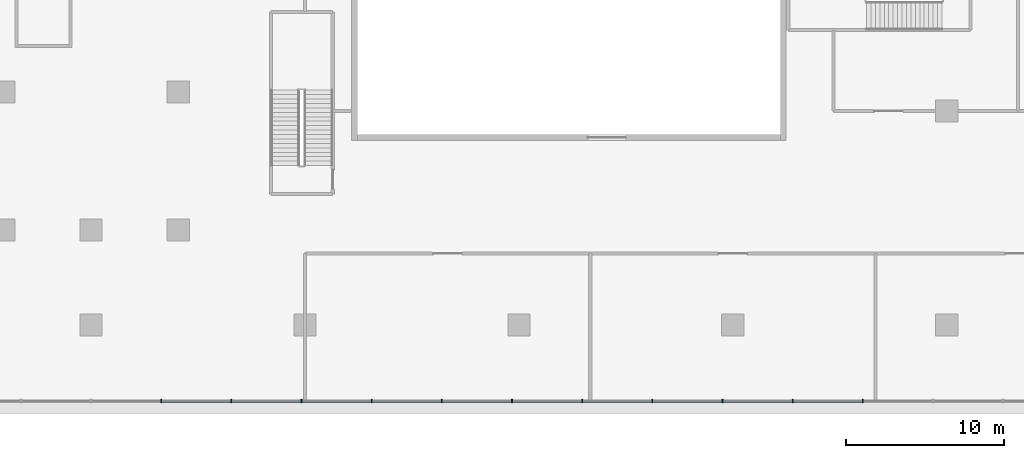
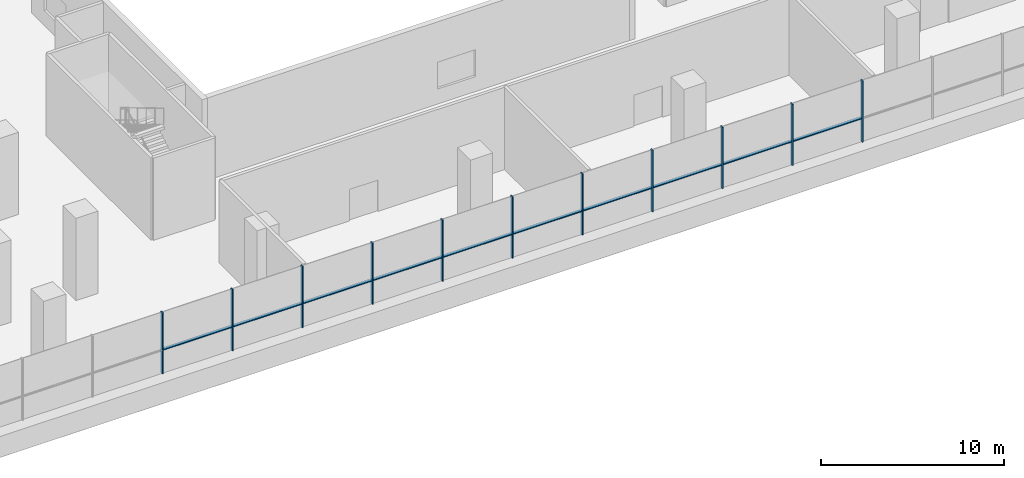
# One storey, part 10 of 52: 21 members, 1 element without a shape of its own.
"""IFC4 building model written with IfcOpenShell, lengths in metres."""

from ifc_helpers import new_model, si_unit, direction, frame, origin, origin_2d, place, context, subcontext, project, spatial, polyline, rectangle, outline, extrude, material, layer, layer_set, material_profile, profile_set, type_object, element, aggregate, save


model = new_model("IFC4")

# Units and contexts
model_context = context("Model", 3, precision=1e-05, world=origin(), true_north=direction((0.0, 1.0)))
body_context = subcontext(model_context, "Body", "Model", "MODEL_VIEW")
ifc_project = project(units=[si_unit("LENGTHUNIT", "METRE"), si_unit("AREAUNIT", "SQUARE_METRE"), si_unit("VOLUMEUNIT", "CUBIC_METRE"), si_unit("PLANEANGLEUNIT", "RADIAN"), si_unit("MASSUNIT", "GRAM", prefix="KILO")], contexts=[model_context])

# Site, building, storey
site_placement = place(None, origin())
site = spatial("IfcSite", under=ifc_project, at=site_placement, CompositionType="ELEMENT")
building_placement = place(site_placement, origin())
building = spatial("IfcBuilding", under=site, at=building_placement, Name="Tamarind Cross Interchange Tower", CompositionType="ELEMENT")
storey_placement = place(building_placement, frame((0.0, 0.0, 9.0)))
storey = spatial("IfcBuildingStorey", under=building, at=storey_placement, Name="L01", CompositionType="ELEMENT", Elevation=9.0)

# Curtain wall, members
ifc_material = material(Name="Aluminium 6063-T6", Category="aluminium")
ifc_layer = layer(ifc_material, 0.199951171875)
ifc_layer_set = layer_set([ifc_layer], Name="Aluminium 6063-T6")
curtain_wall_type = type_object("IfcCurtainWallType", Name="Podium shopfront and station curtain wall", PredefinedType="NOTDEFINED", material=ifc_layer_set)
curtain_wall_placement = place(storey_placement, origin())
curtain_wall = element("IfcCurtainWall", 1, at=curtain_wall_placement, inside=storey, type_object=curtain_wall_type, Name="CWS-L01-06", PredefinedType="NOTDEFINED")
ifc_material_profile = material_profile(ifc_material, rectangle(XDim=0.080078125, YDim=0.199951171875, at=origin_2d()), Name="Mullion CW3")
ifc_profile_set = profile_set([ifc_material_profile], Name="Aluminium 6063-T6")
member_type_1 = type_object("IfcMemberType", Name="Mullion CW3", PredefinedType="MULLION", material=ifc_profile_set)
member_1_placement = place(storey_placement, frame((4.427490234375, -58.800048828125, 1.39990234375), z_axis=(0.0, 0.0, 1.0), x_axis=(1.0, 0.0, 0.0)))
member_1 = element("IfcMember", 2, at=member_1_placement, type_object=member_type_1, Name="CWM-L01-06-15", PredefinedType="MULLION", context=body_context, shape_type="SweptSolid", body=[
    extrude(rectangle(XDim=0.080078125, YDim=0.199951171875, at=origin_2d()), origin(), (0.0, 0.0, 1.0), 4.10009765625),
])
member_2_placement = place(storey_placement, frame((8.85498046875, -58.800048828125, 1.39990234375), z_axis=(0.0, 0.0, 1.0), x_axis=(1.0, 0.0, 0.0)))
member_2 = element("IfcMember", 3, at=member_2_placement, type_object=member_type_1, Name="CWM-L01-06-16", PredefinedType="MULLION", context=body_context, shape_type="SweptSolid", body=[
    extrude(rectangle(XDim=0.080078125, YDim=0.199951171875, at=origin_2d()), origin(), (0.0, 0.0, 1.0), 4.10009765625),
])
member_3_placement = place(storey_placement, frame((13.2822265625, -58.800048828125, 1.39990234375), z_axis=(0.0, 0.0, 1.0), x_axis=(1.0, 0.0, 0.0)))
member_3 = element("IfcMember", 4, at=member_3_placement, type_object=member_type_1, Name="CWM-L01-06-17", PredefinedType="MULLION", context=body_context, shape_type="SweptSolid", body=[
    extrude(rectangle(XDim=0.080078125, YDim=0.199951171875, at=origin_2d()), origin(), (0.0, 0.0, 1.0), 4.10009765625),
])
member_4_placement = place(storey_placement, frame((17.709716796875, -58.800048828125, 1.39990234375), z_axis=(0.0, 0.0, 1.0), x_axis=(1.0, 0.0, 0.0)))
member_4 = element("IfcMember", 5, at=member_4_placement, type_object=member_type_1, Name="CWM-L01-06-18", PredefinedType="MULLION", context=body_context, shape_type="SweptSolid", body=[
    extrude(rectangle(XDim=0.080078125, YDim=0.199951171875, at=origin_2d()), origin(), (0.0, 0.0, 1.0), 4.10009765625),
])
member_5_placement = place(storey_placement, frame((22.13720703125, -58.800048828125, 1.39990234375), z_axis=(0.0, 0.0, 1.0), x_axis=(1.0, 0.0, 0.0)))
member_5 = element("IfcMember", 6, at=member_5_placement, type_object=member_type_1, Name="CWM-L01-06-19", PredefinedType="MULLION", context=body_context, shape_type="SweptSolid", body=[
    extrude(rectangle(XDim=0.080078125, YDim=0.199951171875, at=origin_2d()), origin(), (0.0, 0.0, 1.0), 4.10009765625),
])
member_6_placement = place(storey_placement, frame((26.564697265625, -58.800048828125, 1.39990234375), z_axis=(0.0, 0.0, 1.0), x_axis=(1.0, 0.0, 0.0)))
member_6 = element("IfcMember", 7, at=member_6_placement, type_object=member_type_1, Name="CWM-L01-06-20", PredefinedType="MULLION", context=body_context, shape_type="SweptSolid", body=[
    extrude(rectangle(XDim=0.080078125, YDim=0.199951171875, at=origin_2d()), origin(), (0.0, 0.0, 1.0), 4.10009765625),
])
member_7_placement = place(storey_placement, frame((30.9921875, -58.800048828125, 1.39990234375), z_axis=(0.0, 0.0, 1.0), x_axis=(1.0, 0.0, 0.0)))
member_7 = element("IfcMember", 8, at=member_7_placement, type_object=member_type_1, Name="CWM-L01-06-21", PredefinedType="MULLION", context=body_context, shape_type="SweptSolid", body=[
    extrude(rectangle(XDim=0.080078125, YDim=0.199951171875, at=origin_2d()), origin(), (0.0, 0.0, 1.0), 4.10009765625),
])
member_8_placement = place(storey_placement, frame((35.419677734375, -58.800048828125, 1.39990234375), z_axis=(0.0, 0.0, 1.0), x_axis=(1.0, 0.0, 0.0)))
member_8 = element("IfcMember", 9, at=member_8_placement, type_object=member_type_1, Name="CWM-L01-06-22", PredefinedType="MULLION", context=body_context, shape_type="SweptSolid", body=[
    extrude(rectangle(XDim=0.080078125, YDim=0.199951171875, at=origin_2d()), origin(), (0.0, 0.0, 1.0), 4.10009765625),
])
member_9_placement = place(storey_placement, frame((39.846923828125, -58.800048828125, 1.39990234375), z_axis=(0.0, 0.0, 1.0), x_axis=(1.0, 0.0, 0.0)))
member_9 = element("IfcMember", 10, at=member_9_placement, type_object=member_type_1, Name="CWM-L01-06-23", PredefinedType="MULLION", context=body_context, shape_type="SweptSolid", body=[
    extrude(rectangle(XDim=0.080078125, YDim=0.199951171875, at=origin_2d()), origin(), (0.0, 0.0, 1.0), 4.10009765625),
])
member_10_placement = place(storey_placement, frame((44.2744140625, -58.800048828125, 1.39990234375), z_axis=(0.0, 0.0, 1.0), x_axis=(1.0, 0.0, 0.0)))
member_10 = element("IfcMember", 11, at=member_10_placement, type_object=member_type_1, Name="CWM-L01-06-24", PredefinedType="MULLION", context=body_context, shape_type="SweptSolid", body=[
    extrude(rectangle(XDim=0.080078125, YDim=0.199951171875, at=origin_2d()), origin(), (0.0, 0.0, 1.0), 4.10009765625),
])
member_11_placement = place(storey_placement, frame((48.701904296875, -58.800048828125, 1.39990234375), z_axis=(0.0, 0.0, 1.0), x_axis=(1.0, 0.0, 0.0)))
member_11 = element("IfcMember", 12, at=member_11_placement, type_object=member_type_1, Name="CWM-L01-06-25", PredefinedType="MULLION", context=body_context, shape_type="SweptSolid", body=[
    extrude(rectangle(XDim=0.080078125, YDim=0.199951171875, at=origin_2d()), origin(), (0.0, 0.0, 1.0), 4.10009765625),
])
member_type_2 = type_object("IfcMemberType", Name="Podium intermediate transom", PredefinedType="USERDEFINED", material=ifc_material)
member_12_placement = place(storey_placement, frame((0.0, 0.0, 2.969970703125)))
member_12 = element("IfcMember", 13, at=member_12_placement, type_object=member_type_2, Name="CWT-L01-06-I0-15", ObjectType="TRANSOM", PredefinedType="USERDEFINED", context=body_context, shape_type="SweptSolid", body=[
    extrude(outline(polyline([(4.467529296875, -58.699951171875), (8.81494140625, -58.699951171875), (8.81494140625, -58.89990234375), (4.467529296875, -58.89990234375), (4.467529296875, -58.699951171875)])), origin(), (0.0, 0.0, 1.0), 0.06005859375),
])
member_13_placement = place(storey_placement, frame((0.0, 0.0, 2.969970703125)))
member_13 = element("IfcMember", 14, at=member_13_placement, type_object=member_type_2, Name="CWT-L01-06-I0-16", ObjectType="TRANSOM", PredefinedType="USERDEFINED", context=body_context, shape_type="SweptSolid", body=[
    extrude(outline(polyline([(8.894775390625, -58.699951171875), (13.242431640625, -58.699951171875), (13.242431640625, -58.89990234375), (8.894775390625, -58.89990234375), (8.894775390625, -58.699951171875)])), origin(), (0.0, 0.0, 1.0), 0.06005859375),
])
member_14_placement = place(storey_placement, frame((0.0, 0.0, 2.969970703125)))
member_14 = element("IfcMember", 15, at=member_14_placement, type_object=member_type_2, Name="CWT-L01-06-I0-17", ObjectType="TRANSOM", PredefinedType="USERDEFINED", context=body_context, shape_type="SweptSolid", body=[
    extrude(outline(polyline([(13.322265625, -58.699951171875), (17.669677734375, -58.699951171875), (17.669677734375, -58.89990234375), (13.322265625, -58.89990234375), (13.322265625, -58.699951171875)])), origin(), (0.0, 0.0, 1.0), 0.06005859375),
])
member_15_placement = place(storey_placement, frame((0.0, 0.0, 2.969970703125)))
member_15 = element("IfcMember", 16, at=member_15_placement, type_object=member_type_2, Name="CWT-L01-06-I0-18", ObjectType="TRANSOM", PredefinedType="USERDEFINED", context=body_context, shape_type="SweptSolid", body=[
    extrude(outline(polyline([(17.749755859375, -58.699951171875), (22.09716796875, -58.699951171875), (22.09716796875, -58.89990234375), (17.749755859375, -58.89990234375), (17.749755859375, -58.699951171875)])), origin(), (0.0, 0.0, 1.0), 0.06005859375),
])
member_16_placement = place(storey_placement, frame((0.0, 0.0, 2.969970703125)))
member_16 = element("IfcMember", 17, at=member_16_placement, type_object=member_type_2, Name="CWT-L01-06-I0-19", ObjectType="TRANSOM", PredefinedType="USERDEFINED", context=body_context, shape_type="SweptSolid", body=[
    extrude(outline(polyline([(22.17724609375, -58.699951171875), (26.524658203125, -58.699951171875), (26.524658203125, -58.89990234375), (22.17724609375, -58.89990234375), (22.17724609375, -58.699951171875)])), origin(), (0.0, 0.0, 1.0), 0.06005859375),
])
member_17_placement = place(storey_placement, frame((0.0, 0.0, 2.969970703125)))
member_17 = element("IfcMember", 18, at=member_17_placement, type_object=member_type_2, Name="CWT-L01-06-I0-20", ObjectType="TRANSOM", PredefinedType="USERDEFINED", context=body_context, shape_type="SweptSolid", body=[
    extrude(outline(polyline([(26.604736328125, -58.699951171875), (30.9521484375, -58.699951171875), (30.9521484375, -58.89990234375), (26.604736328125, -58.89990234375), (26.604736328125, -58.699951171875)])), origin(), (0.0, 0.0, 1.0), 0.06005859375),
])
member_18_placement = place(storey_placement, frame((0.0, 0.0, 2.969970703125)))
member_18 = element("IfcMember", 19, at=member_18_placement, type_object=member_type_2, Name="CWT-L01-06-I0-21", ObjectType="TRANSOM", PredefinedType="USERDEFINED", context=body_context, shape_type="SweptSolid", body=[
    extrude(outline(polyline([(31.0322265625, -58.699951171875), (35.379638671875, -58.699951171875), (35.379638671875, -58.89990234375), (31.0322265625, -58.89990234375), (31.0322265625, -58.699951171875)])), origin(), (0.0, 0.0, 1.0), 0.06005859375),
])
member_19_placement = place(storey_placement, frame((0.0, 0.0, 2.969970703125)))
member_19 = element("IfcMember", 20, at=member_19_placement, type_object=member_type_2, Name="CWT-L01-06-I0-22", ObjectType="TRANSOM", PredefinedType="USERDEFINED", context=body_context, shape_type="SweptSolid", body=[
    extrude(outline(polyline([(35.45947265625, -58.699951171875), (39.80712890625, -58.699951171875), (39.80712890625, -58.89990234375), (35.45947265625, -58.89990234375), (35.45947265625, -58.699951171875)])), origin(), (0.0, 0.0, 1.0), 0.06005859375),
])
member_20_placement = place(storey_placement, frame((0.0, 0.0, 2.969970703125)))
member_20 = element("IfcMember", 21, at=member_20_placement, type_object=member_type_2, Name="CWT-L01-06-I0-23", ObjectType="TRANSOM", PredefinedType="USERDEFINED", context=body_context, shape_type="SweptSolid", body=[
    extrude(outline(polyline([(39.886962890625, -58.699951171875), (44.234375, -58.699951171875), (44.234375, -58.89990234375), (39.886962890625, -58.89990234375), (39.886962890625, -58.699951171875)])), origin(), (0.0, 0.0, 1.0), 0.06005859375),
])
member_21_placement = place(storey_placement, frame((0.0, 0.0, 2.969970703125)))
member_21 = element("IfcMember", 22, at=member_21_placement, type_object=member_type_2, Name="CWT-L01-06-I0-24", ObjectType="TRANSOM", PredefinedType="USERDEFINED", context=body_context, shape_type="SweptSolid", body=[
    extrude(outline(polyline([(44.314453125, -58.699951171875), (48.661865234375, -58.699951171875), (48.661865234375, -58.89990234375), (44.314453125, -58.89990234375), (44.314453125, -58.699951171875)])), origin(), (0.0, 0.0, 1.0), 0.06005859375),
])
aggregate(curtain_wall, [member_1, member_2, member_3, member_4, member_5, member_6, member_7, member_8, member_9, member_10, member_11, member_12, member_13, member_14, member_15, member_16, member_17, member_18, member_19, member_20, member_21])

save(model, "model.ifc")
